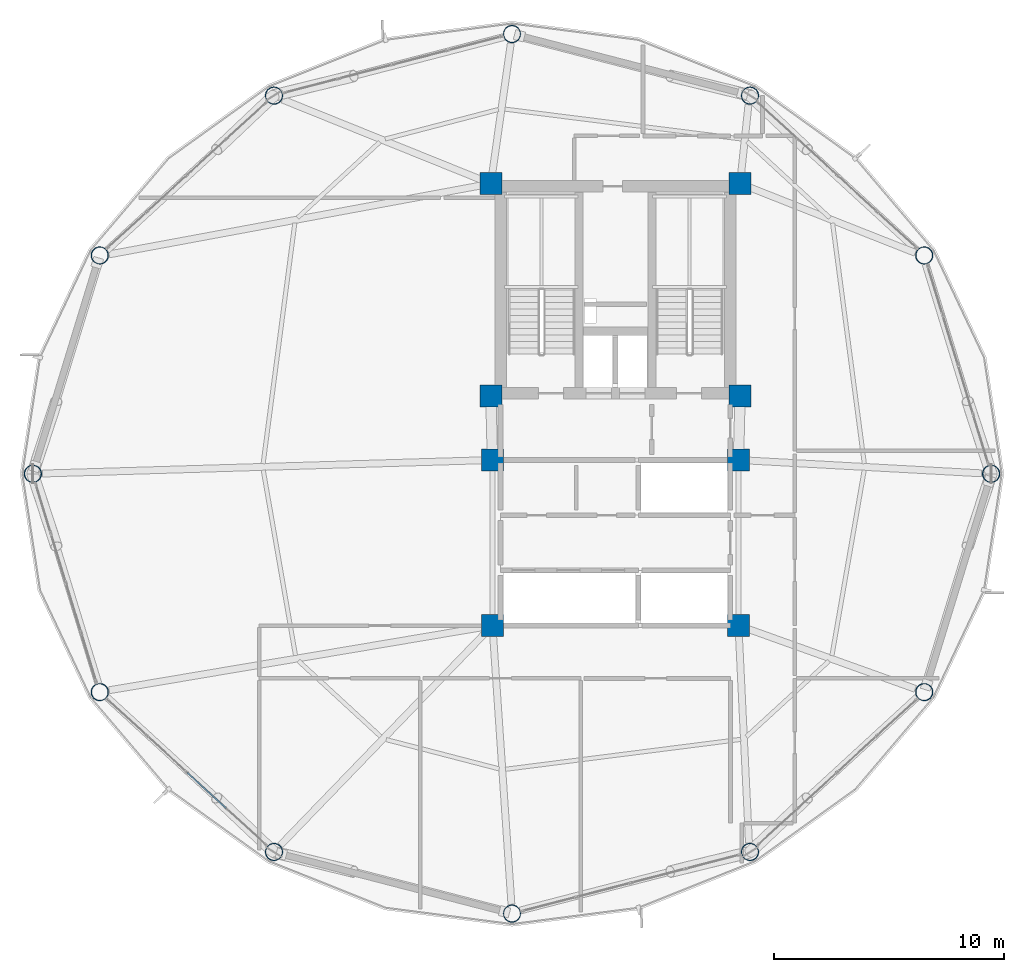
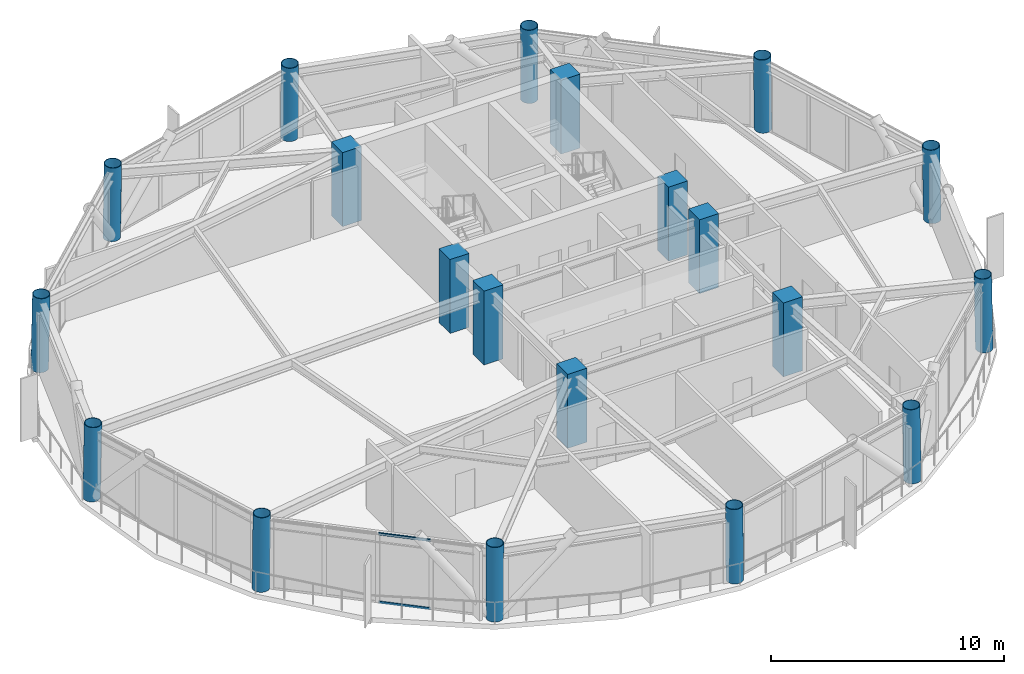
# One storey, part 1 of 25: 20 columns, 2 members, 1 element without a shape of its own.
"""IFC4 building model written with IfcOpenShell, lengths in metres."""

from ifc_helpers import new_model, si_unit, direction, frame, origin, origin_2d, place, context, subcontext, project, spatial, rectangle, hollow_rectangle, hollow_circle, extrude, material, layer, layer_set, material_profile, profile_set, type_object, element, aggregate, save


model = new_model("IFC4")

# Units and contexts
model_context = context("Model", 3, precision=1e-05, world=origin(), true_north=direction((0.0, 1.0)))
body_context = subcontext(model_context, "Body", "Model", "MODEL_VIEW")
ifc_project = project(units=[si_unit("LENGTHUNIT", "METRE"), si_unit("AREAUNIT", "SQUARE_METRE"), si_unit("VOLUMEUNIT", "CUBIC_METRE"), si_unit("PLANEANGLEUNIT", "RADIAN"), si_unit("MASSUNIT", "GRAM", prefix="KILO")], contexts=[model_context])

# Site, building, storey
site_placement = place(None, origin())
site = spatial("IfcSite", under=ifc_project, at=site_placement, CompositionType="ELEMENT")
building_placement = place(site_placement, origin())
building = spatial("IfcBuilding", under=site, at=building_placement, Name="Varnakorn Sky Granary", CompositionType="ELEMENT")
storey_placement = place(building_placement, frame((0.0, 0.0, 146.10009765625)))
storey = spatial("IfcBuildingStorey", under=building, at=storey_placement, Name="L36", CompositionType="ELEMENT", Elevation=146.10009765625)

# Columns
ifc_material_1 = material(Name="Steel S460M", Category="steel")
ifc_material_profile_1 = material_profile(ifc_material_1, hollow_circle(Radius=0.381103515625, WallThickness=0.028076171875, at=origin_2d()), Name="CHS 762x28")
ifc_profile_set_1 = profile_set([ifc_material_profile_1], Name="Steel S460M")
column_type_1 = type_object("IfcColumnType", Name="COL-DC-Z3", PredefinedType="COLUMN", material=ifc_profile_set_1)
for number, where, z_axis, x_axis, name in (
    (1, (19.35009765625, 0.0, 0.0), (-0.017323508859, 0.0, 0.999849936761), (0.0, -1.0, 0.0), "Drum Perimeter Column DC01 L36"),
    (2, (16.439697265625, 9.50048828125, 0.0), (-0.014992988439, -0.006173583475, 0.999868539941), (0.380749805254, -0.924678098475, 0.0), "Drum Perimeter Column DC02 L36"),
    (3, (8.857421875, 16.455322265625, 0.0), (-0.008630735893, -0.010709672276, 0.999905402184), (0.77862958397, -0.627483841199, 0.0), "Drum Perimeter Column DC03 L36"),
):
    element("IfcColumn", number, at=place(storey_placement, frame(where, z_axis=z_axis, x_axis=x_axis)), inside=storey, type_object=column_type_1, Name=name, PredefinedType="COLUMN", context=body_context, shape_type="SweptSolid", body=[
        extrude(hollow_circle(Radius=0.381103515625, WallThickness=0.028076171875, at=origin_2d()), origin(), (0.0, 0.0, 1.0), 3.87548828125),
    ])
column_1_placement = place(storey_placement, frame((-1.5, 19.135986328125, 0.0), z_axis=(0.0, -0.01241083843, 0.999922982579), x_axis=(1.0, 0.0, 0.0)))
element("IfcColumn", 4, at=column_1_placement, inside=storey, type_object=column_type_1, Name="Drum Perimeter Column DC04 L36", PredefinedType="COLUMN", context=body_context, shape_type="SweptSolid", body=[
    extrude(hollow_circle(Radius=0.381103515625, WallThickness=0.028076171875, at=origin_2d()), origin(), (0.0, 0.0, 1.0), 3.875244140625),
])
for number, where, z_axis, x_axis, name in (
    (5, (-11.857421875, 16.455322265625, 0.0), (0.008630735893, -0.010709672276, 0.999905402184), (0.77862958397, 0.627483841199, 0.0), "Drum Perimeter Column DC05 L36"),
    (6, (-19.439697265625, 9.50048828125, 0.0), (0.014992988439, -0.006173583475, 0.999868539941), (0.380749805254, 0.924678098475, 0.0), "Drum Perimeter Column DC06 L36"),
    (7, (-22.35009765625, 0.0, 0.0), (0.017323508859, 0.0, 0.999849936761), (0.0, 1.0, 0.0), "Drum Perimeter Column DC07 L36"),
    (8, (-19.439697265625, -9.50048828125, 0.0), (0.014992988439, 0.006173583475, 0.999868539941), (-0.380749805254, 0.924678098475, 0.0), "Drum Perimeter Column DC08 L36"),
    (9, (-11.857421875, -16.455322265625, 0.0), (0.008630735893, 0.010709672276, 0.999905402184), (-0.77862958397, 0.627483841199, 0.0), "Drum Perimeter Column DC09 L36"),
):
    element("IfcColumn", number, at=place(storey_placement, frame(where, z_axis=z_axis, x_axis=x_axis)), inside=storey, type_object=column_type_1, Name=name, PredefinedType="COLUMN", context=body_context, shape_type="SweptSolid", body=[
        extrude(hollow_circle(Radius=0.381103515625, WallThickness=0.028076171875, at=origin_2d()), origin(), (0.0, 0.0, 1.0), 3.87548828125),
    ])
column_2_placement = place(storey_placement, frame((-1.5, -19.135986328125, 0.0), z_axis=(0.0, 0.01241083843, 0.999922982579), x_axis=(-1.0, 0.0, 0.0)))
element("IfcColumn", 10, at=column_2_placement, inside=storey, type_object=column_type_1, Name="Drum Perimeter Column DC10 L36", PredefinedType="COLUMN", context=body_context, shape_type="SweptSolid", body=[
    extrude(hollow_circle(Radius=0.381103515625, WallThickness=0.028076171875, at=origin_2d()), origin(), (0.0, 0.0, 1.0), 3.875244140625),
])
for number, where, z_axis, x_axis, name in (
    (11, (8.857421875, -16.455322265625, 0.0), (-0.008630735893, 0.010709672276, 0.999905402184), (-0.77862958397, -0.627483841199, 0.0), "Drum Perimeter Column DC11 L36"),
    (12, (16.439697265625, -9.50048828125, 0.0), (-0.014992988439, 0.006173583475, 0.999868539941), (-0.380749805254, -0.924678098475, 0.0), "Drum Perimeter Column DC12 L36"),
):
    element("IfcColumn", number, at=place(storey_placement, frame(where, z_axis=z_axis, x_axis=x_axis)), inside=storey, type_object=column_type_1, Name=name, PredefinedType="COLUMN", context=body_context, shape_type="SweptSolid", body=[
        extrude(hollow_circle(Radius=0.381103515625, WallThickness=0.028076171875, at=origin_2d()), origin(), (0.0, 0.0, 1.0), 3.87548828125),
    ])
ifc_material_2 = material(Name="Concrete C50/60", Category="concrete")
ifc_material_profile_2 = material_profile(ifc_material_2, rectangle(XDim=0.949951171875, YDim=0.949951171875, at=origin_2d()), Name="RC 950x950")
ifc_profile_set_2 = profile_set([ifc_material_profile_2], Name="Concrete C50/60")
column_type_2 = type_object("IfcColumnType", Name="COL-MC-Z3", PredefinedType="COLUMN", material=ifc_profile_set_2)
for number, where, z_axis, x_axis, name in (
    (13, (-2.419921875, 12.6201171875, 0.0), (0.0, 0.0, 1.0), (1.0, 0.0, 0.0), "Backbone Mega-Column MC1 L36"),
    (14, (8.419921875, 12.6201171875, 0.0), (0.0, 0.0, 1.0), (1.0, 0.0, 0.0), "Backbone Mega-Column MC2 L36"),
    (15, (-2.419921875, 3.3798828125, 0.0), (0.0, 0.0, 1.0), (1.0, 0.0, 0.0), "Backbone Mega-Column MC3 L36"),
    (16, (8.419921875, 3.3798828125, 0.0), (0.0, 0.0, 1.0), (1.0, 0.0, 0.0), "Backbone Mega-Column MC4 L36"),
    (17, (-2.35009765625, 0.60009765625, 0.0), (0.0, 0.0, 1.0), (1.0, 0.0, 0.0), "Backbone Mega-Column MC5 L36"),
    (18, (8.35009765625, 0.60009765625, 0.0), (0.0, 0.0, 1.0), (1.0, 0.0, 0.0), "Backbone Mega-Column MC6 L36"),
    (19, (-2.35009765625, -6.60009765625, 0.0), (0.0, 0.0, 1.0), (1.0, 0.0, 0.0), "Backbone Mega-Column MC7 L36"),
    (20, (8.35009765625, -6.60009765625, 0.0), (0.0, 0.0, 1.0), (1.0, 0.0, 0.0), "Backbone Mega-Column MC8 L36"),
):
    element("IfcColumn", number, at=place(storey_placement, frame(where, z_axis=z_axis, x_axis=x_axis)), inside=storey, type_object=column_type_2, Name=name, PredefinedType="COLUMN", context=body_context, shape_type="SweptSolid", body=[
        extrude(rectangle(XDim=0.949951171875, YDim=0.949951171875, at=origin_2d()), origin(), (0.0, 0.0, 1.0), 3.875),
    ])

# Curtain wall, members
ifc_material_3 = material(Name="Anodised Bronze Aluminium Alloy 6063-T6", Category="aluminium")
ifc_layer = layer(ifc_material_3, 0.179931640625, Name="Anodised Bronze Aluminium Alloy 6063-T6")
ifc_layer_set = layer_set([ifc_layer], Name="Anodised Bronze Aluminium Alloy 6063-T6")
curtain_wall_type = type_object("IfcCurtainWallType", Name="CW-FRM-2", PredefinedType="USERDEFINED", material=ifc_layer_set)
curtain_wall_placement = place(storey_placement, origin())
curtain_wall = element("IfcCurtainWall", 21, at=curtain_wall_placement, inside=storey, type_object=curtain_wall_type, Name="Unitised Curtain Wall CW4 CW-L36-B08", ObjectType="CURTAIN WALL", PredefinedType="USERDEFINED")
ifc_material_profile_3 = material_profile(ifc_material_3, hollow_rectangle(XDim=0.06494140625, YDim=0.1201171875, WallThickness=0.00341796875, at=origin_2d()), Name="ALU TRAN 65x120")
ifc_profile_set_3 = profile_set([ifc_material_profile_3], Name="Anodised Bronze Aluminium Alloy 6063-T6")
member_type = type_object("IfcMemberType", Name="CW-FRM-2-TRAN", PredefinedType="USERDEFINED", material=ifc_profile_set_3)
member_1_placement = place(storey_placement, frame((-13.94140625, -14.5439453125, 0.032470703125), z_axis=(-0.736892041746, 0.676010442827, 0.0), x_axis=(-0.676010442827, -0.736892041746, 0.0)))
member_1 = element("IfcMember", 22, at=member_1_placement, type_object=member_type, Name="CW4 transom 2.1", ObjectType="TRANSOM", PredefinedType="USERDEFINED", context=body_context, shape_type="SweptSolid", body=[
    extrude(hollow_rectangle(XDim=0.06494140625, YDim=0.1201171875, WallThickness=0.00341796875, at=origin_2d()), origin(), (0.0, 0.0, 1.0), 2.28173828125),
])
member_2_placement = place(storey_placement, frame((-13.94140625, -14.5439453125, 3.607421875), z_axis=(-0.736892041746, 0.676010442827, 0.0), x_axis=(-0.676010442827, -0.736892041746, 0.0)))
member_2 = element("IfcMember", 23, at=member_2_placement, type_object=member_type, Name="CW4 transom 2.2", ObjectType="TRANSOM", PredefinedType="USERDEFINED", context=body_context, shape_type="SweptSolid", body=[
    extrude(hollow_rectangle(XDim=0.06494140625, YDim=0.1201171875, WallThickness=0.00341796875, at=origin_2d()), origin(), (0.0, 0.0, 1.0), 2.28173828125),
])
aggregate(curtain_wall, [member_1, member_2])

save(model, "model.ifc")
